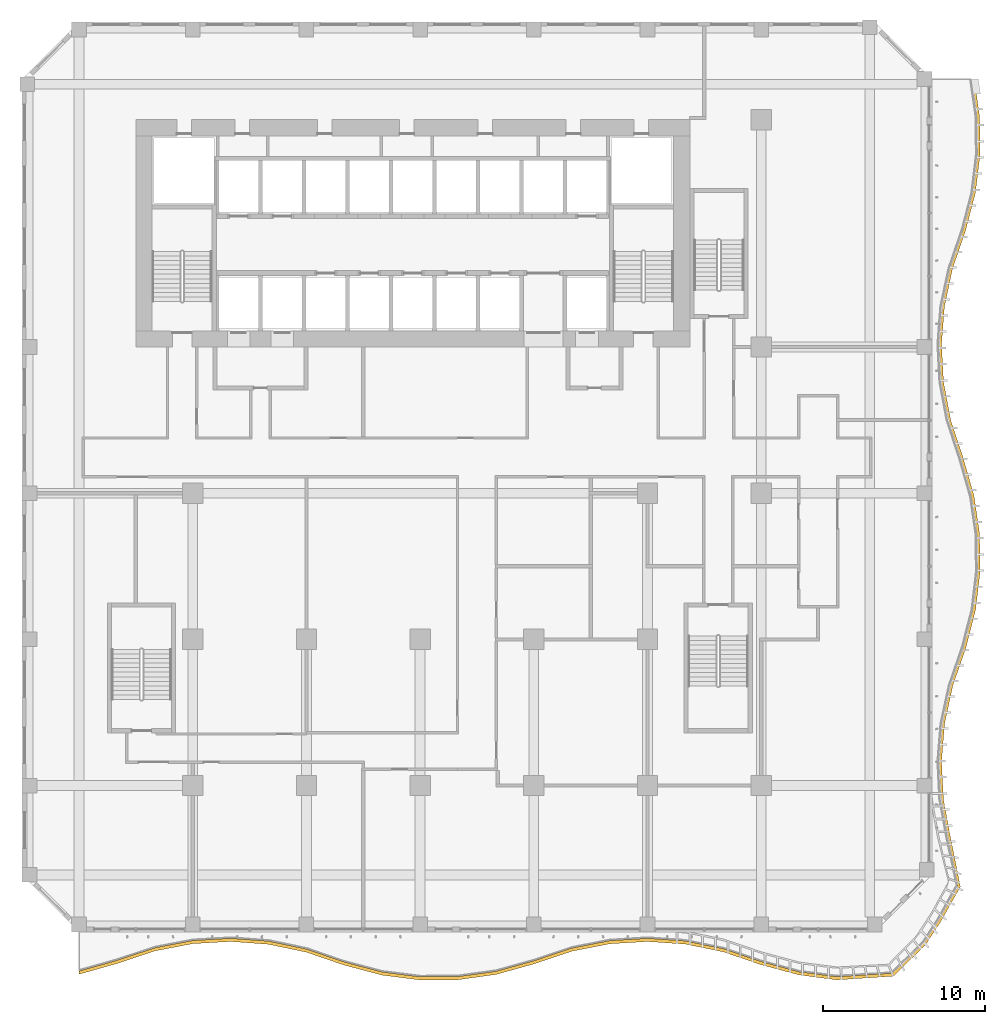
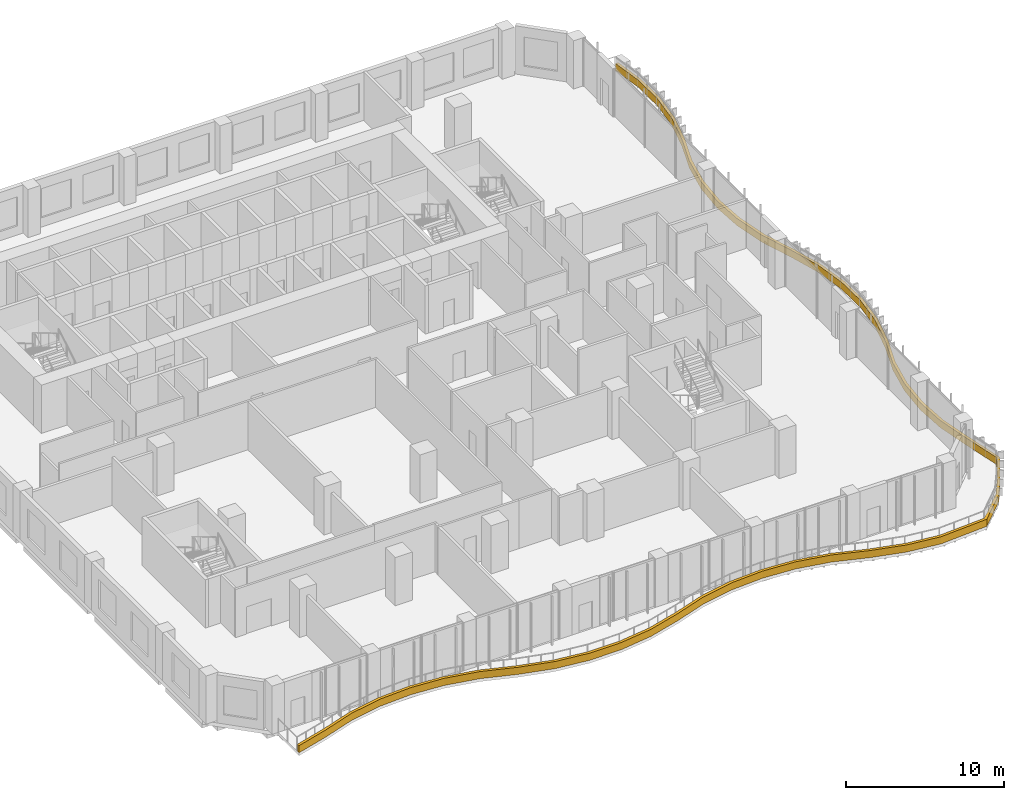
# One storey, part 22 of 28: 1 shading device.
"""IFC4 building model written with IfcOpenShell, lengths in metres."""

from ifc_helpers import new_model, si_unit, direction, frame, origin, place, context, subcontext, project, spatial, polyline, outline, extrude, source, transform, mapped, material, layer, layer_set, type_object, element, save


model = new_model("IFC4")

# Units and contexts
model_context = context("Model", 3, precision=1e-05, world=origin(), true_north=direction((0.0, 1.0)))
body_context = subcontext(model_context, "Body", "Model", "MODEL_VIEW")
ifc_project = project(units=[si_unit("LENGTHUNIT", "METRE"), si_unit("AREAUNIT", "SQUARE_METRE"), si_unit("VOLUMEUNIT", "CUBIC_METRE"), si_unit("PLANEANGLEUNIT", "RADIAN"), si_unit("MASSUNIT", "GRAM", prefix="KILO")], contexts=[model_context])

# Site, building, storey
site_placement = place(None, origin())
site = spatial("IfcSite", under=ifc_project, at=site_placement, CompositionType="ELEMENT")
building_placement = place(site_placement, origin())
building = spatial("IfcBuilding", under=site, at=building_placement, Name="Kilnfold Tower and Market Hall", CompositionType="ELEMENT")
storey_placement = place(building_placement, frame((0.0, 0.0, 87.199951171875)))
storey = spatial("IfcBuildingStorey", under=building, at=storey_placement, Name="L20", CompositionType="ELEMENT", Elevation=87.199951171875)

# Shading device
ifc_material = material(Name="Precast concrete C50/60", Category="concrete")
ifc_layer = layer(ifc_material, 0.550048828125)
ifc_layer_set = layer_set([ifc_layer], Name="Precast concrete C50/60")
shading_device_type = type_object("IfcShadingDeviceType", Name="BALCONY UPSTAND 550", PredefinedType="USERDEFINED", material=ifc_layer_set)
shared_shape = source(origin(), body_context, "Body", "SweptSolid", [
    extrude(outline(polyline([(-19.5, -30.6171875), (-17.166748046875, -29.957763671875), (-14.833251953125, -29.18310546875), (-12.5, -28.735107421875), (-10.166748046875, -28.6005859375), (-7.833251953125, -28.7724609375), (-5.5, -29.259765625), (-3.166748046875, -30.05615234375), (-0.833251953125, -30.67431640625), (1.5, -30.968505859375), (3.833251953125, -30.95458984375), (6.166748046875, -30.632080078125), (8.5, -29.98291015625), (10.833251953125, -29.201904296875), (13.166748046875, -28.743896484375), (15.5, -28.60009765625), (17.833251953125, -28.7626953125), (20.166748046875, -29.239990234375), (22.5, -30.031982421875), (24.833251953125, -30.660400390625), (27.166748046875, -30.964111328125), (30.632568359375, -30.734130859375), (32.6259765625, -28.79248046875), (33.546630859375, -27.3798828125), (34.761474609375, -25.2294921875), (34.146728515625, -22.166748046875), (33.71826171875, -19.833251953125), (33.602294921875, -17.5), (33.792724609375, -15.166748046875), (34.2998046875, -12.833251953125), (35.103515625, -10.5), (35.701171875, -8.166748046875), (35.976318359375, -5.833251953125), (35.94384765625, -3.5), (35.602294921875, -1.166748046875), (34.932373046875, 1.166748046875), (34.164794921875, 3.5), (33.7265625, 5.833251953125), (33.601318359375, 8.166748046875), (33.782470703125, 10.5), (34.27978515625, 12.833251953125), (35.080078125, 15.166748046875), (35.68798828125, 17.5), (35.972412109375, 19.833251953125), (35.949462890625, 22.166748046875), (35.6171875, 24.5), (35.417236328125, 24.5), (35.74951171875, 22.166748046875), (35.7724609375, 19.833251953125), (35.48779296875, 17.5), (34.880126953125, 15.166748046875), (34.07958984375, 12.833251953125), (33.58251953125, 10.5), (33.4013671875, 8.166748046875), (33.526611328125, 5.833251953125), (33.964599609375, 3.5), (34.732421875, 1.166748046875), (35.402099609375, -1.166748046875), (35.743896484375, -3.5), (35.7763671875, -5.833251953125), (35.501220703125, -8.166748046875), (34.903564453125, -10.5), (34.099853515625, -12.833251953125), (33.5927734375, -15.166748046875), (33.402099609375, -17.5), (33.518310546875, -19.833251953125), (33.94677734375, -22.166748046875), (34.57666015625, -25.153076171875), (33.4052734375, -27.238525390625), (32.484619140625, -28.651123046875), (30.555908203125, -30.54931640625), (27.166748046875, -30.76416015625), (24.833251953125, -30.46044921875), (22.5, -29.83203125), (20.166748046875, -29.0400390625), (17.833251953125, -28.5625), (15.5, -28.400146484375), (13.166748046875, -28.5439453125), (10.833251953125, -29.001708984375), (8.5, -29.782958984375), (6.166748046875, -30.431884765625), (3.833251953125, -30.754638671875), (1.5, -30.7685546875), (-0.833251953125, -30.474365234375), (-3.166748046875, -29.856201171875), (-5.5, -29.059814453125), (-7.833251953125, -28.572509765625), (-10.166748046875, -28.400634765625), (-12.5, -28.53515625), (-14.833251953125, -28.983154296875), (-17.166748046875, -29.7578125), (-19.5, -30.417236328125), (-19.5, -30.6171875)])), origin(), (0.0, 0.0, 1.0), 0.550048828125),
])
shading_device_placement = place(storey_placement, origin())
element("IfcShadingDevice", 1, at=shading_device_placement, inside=storey, type_object=shading_device_type, Name="Balcony fascia L20", ObjectType="FASCIA", PredefinedType="USERDEFINED", context=body_context, shape_type="MappedRepresentation", body=[
    mapped(shared_shape, transform((0.0, 0.0, 0.0))),
])

save(model, "model.ifc")
